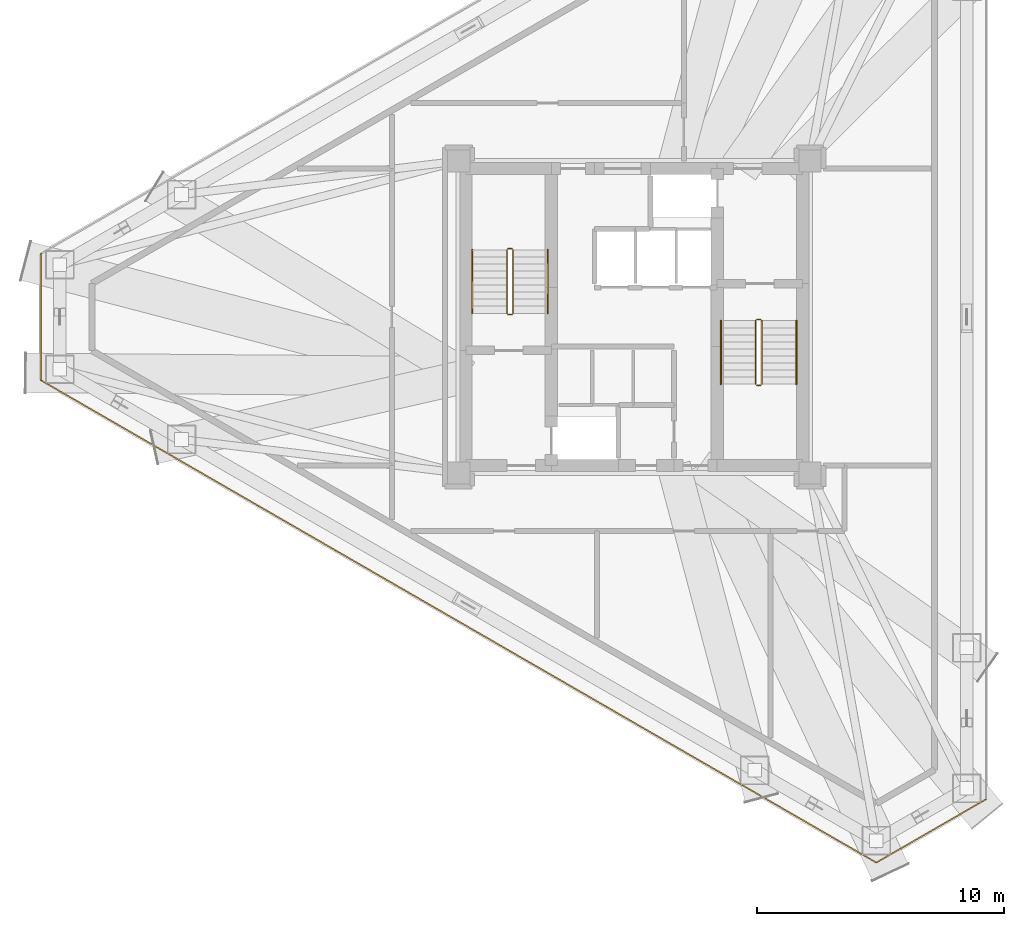
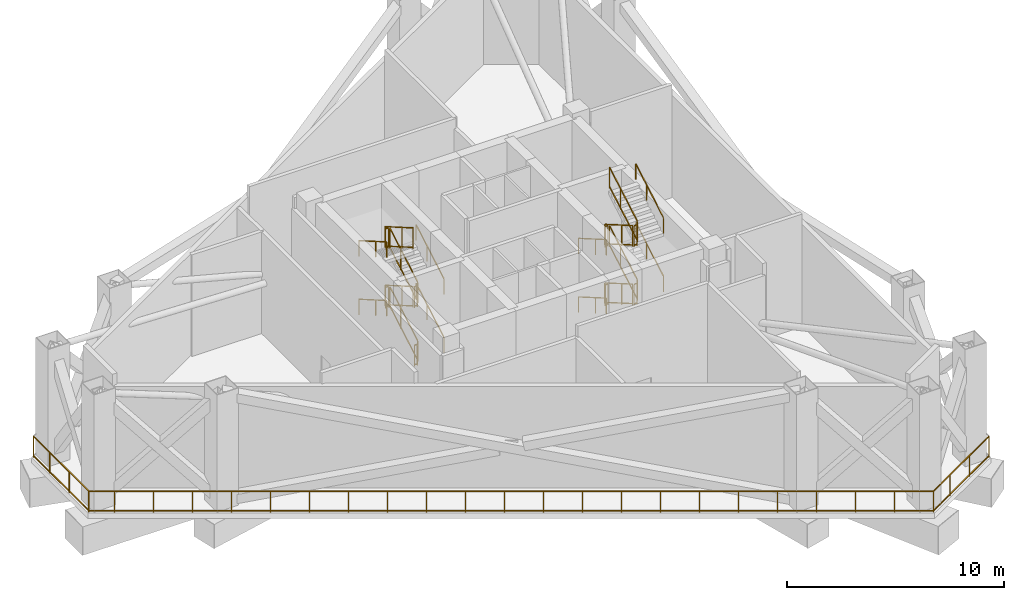
# One storey, part 6 of 7: 27 railings.
"""IFC4 building model written with IfcOpenShell, lengths in metres."""

import ifcopenshell
import ifcopenshell.guid

model = None  # the IFC model being written
_history = None  # IfcOwnerHistory: only IFC2X3 demands one
_inside = {}  # id of a spatial element -> (the spatial element, [elements in it])
_under = {}  # id of a project, library or spatial element -> (it, [spatial elements below it])
_declared = {}  # id of a project -> (the project, [libraries it declares])
_typed = {}  # id of a type object -> (the type object, [elements of that type])
_made_of = {}  # id of a material, layer set ... -> (it, [elements and type objects made of it])


def new_model(schema):
    """Start an empty IFC model of exactly this schema.

    Asked for "IFC4X3", IfcOpenShell would pick the latest addendum, in which some entities
    have other attributes; the version numbers below select the first issue.
    IFC2X3 requires an IfcOwnerHistory on every rooted entity: one is made here for all.
    """
    global model, _history
    if schema == "IFC4X3":
        model = ifcopenshell.file(schema_version=(4, 3, 0, 0))
    else:
        model = ifcopenshell.file(schema=schema)
    _inside.clear()
    _under.clear()
    _declared.clear()
    _typed.clear()
    _made_of.clear()
    _history = None
    if model.schema == "IFC2X3":
        org = make("IfcOrganization", Name="unknown")
        user = make(
            "IfcPersonAndOrganization",
            ThePerson=make("IfcPerson", FamilyName="unknown"),
            TheOrganization=org,
        )
        app = make(
            "IfcApplication",
            ApplicationDeveloper=org,
            Version="unknown",
            ApplicationFullName="unknown",
            ApplicationIdentifier="unknown",
        )
        _history = make(
            "IfcOwnerHistory",
            OwningUser=user,
            OwningApplication=app,
            ChangeAction="ADDED",
            CreationDate=0,
        )
    return model


def make(cls, **values):
    """One entity of the class cls with the attributes given. An attribute that is None is left unset."""
    return model.create_entity(
        cls, **{name: value for name, value in values.items() if value is not None}
    )


def rooted(cls, **values):
    """An entity with a GlobalId (a new one), such as an element, a storey or a relation."""
    return make(cls, GlobalId=ifcopenshell.guid.new(), OwnerHistory=_history, **values)


def si_unit(unit_type, name, prefix=None):
    """IfcSIUnit, for example si_unit("LENGTHUNIT", "METRE", prefix="MILLI")."""
    return make("IfcSIUnit", UnitType=unit_type, Prefix=prefix, Name=name)


def assignment(units):
    """IfcUnitAssignment: the units of a project."""
    return None if units is None else make("IfcUnitAssignment", Units=units)


def point(xyz):
    """IfcCartesianPoint."""
    return None if xyz is None else make("IfcCartesianPoint", Coordinates=xyz)


def direction(xyz):
    """IfcDirection."""
    return None if xyz is None else make("IfcDirection", DirectionRatios=xyz)


def frame(location, z_axis=None, x_axis=None):
    """IfcAxis2Placement3D, a coordinate frame: its origin and axes. An axis left out is left unset."""
    return make(
        "IfcAxis2Placement3D",
        Location=point(location),
        Axis=direction(z_axis),
        RefDirection=direction(x_axis),
    )


def frame_2d(location, x_axis=None):
    """IfcAxis2Placement2D, a coordinate frame in the plane: its origin and x axis."""
    return make(
        "IfcAxis2Placement2D", Location=point(location), RefDirection=direction(x_axis)
    )


def origin():
    """The frame at (0, 0, 0) with its axes left unset."""
    return frame((0.0, 0.0, 0.0))


def origin_2d():
    """The frame at (0, 0) in the plane with its x axis left unset."""
    return frame_2d((0.0, 0.0))


def place(relative_to, where):
    """IfcLocalPlacement: puts the frame where relative to a parent placement (None: the world)."""
    return make(
        "IfcLocalPlacement", PlacementRelTo=relative_to, RelativePlacement=where
    )


def context(
    kind, dimensions, precision=None, world=None, true_north=None, identifier=None
):
    """IfcGeometricRepresentationContext, for example the 3D "Model" context."""
    return make(
        "IfcGeometricRepresentationContext",
        ContextIdentifier=identifier,
        ContextType=kind,
        CoordinateSpaceDimension=dimensions,
        Precision=precision,
        WorldCoordinateSystem=world,
        TrueNorth=true_north,
    )


def subcontext(parent, identifier, kind, view, scale=None):
    """IfcGeometricRepresentationSubContext, for example "Body" below "Model"."""
    return make(
        "IfcGeometricRepresentationSubContext",
        ContextIdentifier=identifier,
        ContextType=kind,
        ParentContext=parent,
        TargetScale=scale,
        TargetView=view,
    )


def project(units=None, contexts=None):
    """IfcProject with its units and contexts."""
    return rooted(
        "IfcProject",
        Name="project",
        RepresentationContexts=contexts,
        UnitsInContext=assignment(units),
    )


def spatial(cls, under=None, at=None, **own):
    """A site, building, storey or space (cls), placed at a placement, below another one or the project."""
    s = rooted(cls, ObjectPlacement=at, **own)
    if under is not None:
        _under.setdefault(under.id(), (under, []))[1].append(s)
    return s


def profile(cls, at=None, kind="AREA", **sizes):
    """A parametric profile (cls). Its sizes go by their IFC names, for example OverallWidth=200.0."""
    return make(cls, ProfileType=kind, Position=at, **sizes)


def rectangle(**sizes):
    """IfcRectangleProfileDef."""
    return profile("IfcRectangleProfileDef", **sizes)


def extrude(swept, where, along, depth):
    """IfcExtrudedAreaSolid: the profile swept, set in the frame where, extruded along a direction by depth."""
    return make(
        "IfcExtrudedAreaSolid",
        SweptArea=swept,
        Position=where,
        ExtrudedDirection=direction(along),
        Depth=depth,
    )


def shape(context_of_items, identifier, shape_type, items):
    """IfcShapeRepresentation: the items that make up one representation, for example the "Body"."""
    return make(
        "IfcShapeRepresentation",
        ContextOfItems=context_of_items,
        RepresentationIdentifier=identifier,
        RepresentationType=shape_type,
        Items=items,
    )


def material(Name=None, Category=None):
    """IfcMaterial."""
    return make("IfcMaterial", Name=Name, Category=Category)


def made_of(thing, what):
    """Note that an element or type object is made of a material, layer set ...; save() writes the relation."""
    if what is not None:
        _made_of.setdefault(what.id(), (what, []))[1].append(thing)
    return thing


def type_object(cls, material=None, **own):
    """A type object (cls), such as IfcWallType, which elements share."""
    return made_of(rooted(cls, **own), material)


def element(
    cls,
    number,
    at=None,
    inside=None,
    cuts=None,
    type_object=None,
    material=None,
    context=None,
    identifier="Body",
    shape_type=None,
    held_by="IfcProductDefinitionShape",
    body=None,
    shapes=None,
    **own,
):
    """One element of the class cls, such as IfcWall. Its Tag is "e" and its number.

    at: its placement. inside: the storey or other place that contains it. cuts: it is an
    opening in that element (IfcRelVoidsElement). A single representation is given by context,
    identifier, shape_type and body (its items); several are given by shapes. held_by: the class
    of the entity that holds the representations. save() writes the other relations.
    """
    e = rooted(cls, Tag="e%d" % number, ObjectPlacement=at, **own)
    if body is not None:
        shapes = [shape(context, identifier, shape_type, body)]
    if shapes is not None:
        e.Representation = make(held_by, Representations=shapes)
    if inside is not None:
        _inside.setdefault(inside.id(), (inside, []))[1].append(e)
    if cuts is not None:
        rooted(
            "IfcRelVoidsElement", RelatingBuildingElement=cuts, RelatedOpeningElement=e
        )
    if type_object is not None:
        _typed.setdefault(type_object.id(), (type_object, []))[1].append(e)
    return made_of(e, material)


def aggregate(whole, parts):
    """IfcRelAggregates: a whole, such as a stair, and the parts it consists of."""
    return rooted("IfcRelAggregates", RelatingObject=whole, RelatedObjects=parts)


def save(model, path):
    """Write the relations noted so far, then the file.

    IfcRelAggregates (storeys below a building ...), IfcRelContainedInSpatialStructure (elements
    in a storey), IfcRelDefinesByType, IfcRelAssociatesMaterial and IfcRelDeclares: one each for
    every whole, place, type object, material and project.
    """
    for whole, parts in _under.values():
        aggregate(whole, parts)
    for where, things in _inside.values():
        rooted(
            "IfcRelContainedInSpatialStructure",
            RelatedElements=things,
            RelatingStructure=where,
        )
    for kind, things in _typed.values():
        rooted("IfcRelDefinesByType", RelatedObjects=things, RelatingType=kind)
    for what, things in _made_of.values():
        rooted("IfcRelAssociatesMaterial", RelatedObjects=things, RelatingMaterial=what)
    for by, libraries in _declared.values():
        rooted("IfcRelDeclares", RelatingContext=by, RelatedDefinitions=libraries)
    model.write(path)


model = new_model("IFC4")

# Units and contexts
model_context = context("Model", 3, precision=1e-05, world=origin(), true_north=direction((0.0, 1.0)))
body_context = subcontext(model_context, "Body", "Model", "MODEL_VIEW")
ifc_project = project(units=[si_unit("LENGTHUNIT", "METRE"), si_unit("AREAUNIT", "SQUARE_METRE"), si_unit("VOLUMEUNIT", "CUBIC_METRE"), si_unit("PLANEANGLEUNIT", "RADIAN"), si_unit("MASSUNIT", "GRAM", prefix="KILO")], contexts=[model_context])

# Site, building, storey
site_placement = place(None, origin())
site = spatial("IfcSite", under=ifc_project, at=site_placement, CompositionType="ELEMENT")
building_placement = place(site_placement, origin())
building = spatial("IfcBuilding", under=site, at=building_placement, Name="Mersakhor Tower and Convention Hall", CompositionType="ELEMENT")
storey_placement = place(building_placement, frame((0.0, 0.0, 66.89990234375)))
storey = spatial("IfcBuildingStorey", under=building, at=storey_placement, Name="L18", CompositionType="ELEMENT", Elevation=66.89990234375)

# Railings
ifc_material_1 = material(Name="Powder-coated galvanised steel and laminated glass balustrade", Category="steel")
railing_type_1 = type_object("IfcRailingType", Name="RL-BAL-1200", PredefinedType="BALUSTRADE", material=ifc_material_1)
railing_1_placement = place(storey_placement, frame((43.20458984375, 7.257568359375, 0.0)))
element("IfcRailing", 1, at=railing_1_placement, inside=storey, type_object=railing_type_1, Name="L18 Open Wind Deck Perimeter Balustrade 4", PredefinedType="BALUSTRADE", context=body_context, shape_type="SweptSolid", body=[
    extrude(rectangle(XDim=0.048095703125, YDim=0.048095703125, at=origin_2d()), frame((0.0, 0.0, 1.17578125), z_axis=(-0.866008972139, -0.500028459365, 0.0), x_axis=(0.500028459365, -0.866008972139, 0.0)), (0.0, 0.0, 1.0), 5.110595703125),
    extrude(rectangle(XDim=0.048095703125, YDim=0.048095703125, at=origin_2d()), frame((0.0, 0.0, 0.080078125), z_axis=(-0.866008972139, -0.500028459365, 0.0), x_axis=(0.500028459365, -0.866008972139, 0.0)), (0.0, 0.0, 1.0), 5.110595703125),
    extrude(rectangle(XDim=0.0419921875, YDim=0.0419921875, at=origin_2d()), origin(), (0.0, 0.0, 1.0), 1.15185546875),
    extrude(rectangle(XDim=0.0419921875, YDim=0.0419921875, at=origin_2d()), frame((-1.558837890625, -0.900146484375, 0.0)), (0.0, 0.0, 1.0), 1.15185546875),
    extrude(rectangle(XDim=0.0419921875, YDim=0.0419921875, at=origin_2d()), frame((-3.11767578125, -1.800048828125, 0.0)), (0.0, 0.0, 1.0), 1.15185546875),
    extrude(rectangle(XDim=0.0419921875, YDim=0.0419921875, at=origin_2d()), frame((-4.42578125, -2.555419921875, 0.0)), (0.0, 0.0, 1.0), 1.15185546875),
])
railing_2_placement = place(storey_placement, frame((38.77880859375, 4.7021484375, 0.0)))
element("IfcRailing", 2, at=railing_2_placement, inside=storey, type_object=railing_type_1, Name="L18 Open Wind Deck Perimeter Balustrade 5", PredefinedType="BALUSTRADE", context=body_context, shape_type="SweptSolid", body=[
    extrude(rectangle(XDim=0.048095703125, YDim=0.048095703125, at=origin_2d()), frame((0.0, 0.0, 1.17578125), z_axis=(-0.866027488331, 0.499996389441, 0.0), x_axis=(-0.499996389441, -0.866027488331, 0.0)), (0.0, 0.0, 1.0), 38.985107421875),
    extrude(rectangle(XDim=0.048095703125, YDim=0.048095703125, at=origin_2d()), frame((0.0, 0.0, 0.080078125), z_axis=(-0.866027488331, 0.499996389441, 0.0), x_axis=(-0.499996389441, -0.866027488331, 0.0)), (0.0, 0.0, 1.0), 38.985107421875),
    extrude(rectangle(XDim=0.0419921875, YDim=0.0419921875, at=origin_2d()), origin(), (0.0, 0.0, 1.0), 1.15185546875),
    extrude(rectangle(XDim=0.0419921875, YDim=0.0419921875, at=origin_2d()), frame((-1.558837890625, 0.89990234375, 0.0)), (0.0, 0.0, 1.0), 1.15185546875),
    extrude(rectangle(XDim=0.0419921875, YDim=0.0419921875, at=origin_2d()), frame((-3.11767578125, 1.800048828125, 0.0)), (0.0, 0.0, 1.0), 1.15185546875),
    extrude(rectangle(XDim=0.0419921875, YDim=0.0419921875, at=origin_2d()), frame((-4.676513671875, 2.699951171875, 0.0)), (0.0, 0.0, 1.0), 1.15185546875),
    extrude(rectangle(XDim=0.0419921875, YDim=0.0419921875, at=origin_2d()), frame((-6.2353515625, 3.599853515625, 0.0)), (0.0, 0.0, 1.0), 1.15185546875),
    extrude(rectangle(XDim=0.0419921875, YDim=0.0419921875, at=origin_2d()), frame((-7.794189453125, 4.5, 0.0)), (0.0, 0.0, 1.0), 1.15185546875),
    extrude(rectangle(XDim=0.0419921875, YDim=0.0419921875, at=origin_2d()), frame((-9.35302734375, 5.39990234375, 0.0)), (0.0, 0.0, 1.0), 1.15185546875),
    extrude(rectangle(XDim=0.0419921875, YDim=0.0419921875, at=origin_2d()), frame((-10.911865234375, 6.300048828125, 0.0)), (0.0, 0.0, 1.0), 1.15185546875),
    extrude(rectangle(XDim=0.0419921875, YDim=0.0419921875, at=origin_2d()), frame((-12.470703125, 7.199951171875, 0.0)), (0.0, 0.0, 1.0), 1.15185546875),
    extrude(rectangle(XDim=0.0419921875, YDim=0.0419921875, at=origin_2d()), frame((-14.029541015625, 8.099853515625, 0.0)), (0.0, 0.0, 1.0), 1.15185546875),
    extrude(rectangle(XDim=0.0419921875, YDim=0.0419921875, at=origin_2d()), frame((-15.58837890625, 9.0, 0.0)), (0.0, 0.0, 1.0), 1.15185546875),
    extrude(rectangle(XDim=0.0419921875, YDim=0.0419921875, at=origin_2d()), frame((-17.1474609375, 9.89990234375, 0.0)), (0.0, 0.0, 1.0), 1.15185546875),
    extrude(rectangle(XDim=0.0419921875, YDim=0.0419921875, at=origin_2d()), frame((-18.706298828125, 10.7998046875, 0.0)), (0.0, 0.0, 1.0), 1.15185546875),
    extrude(rectangle(XDim=0.0419921875, YDim=0.0419921875, at=origin_2d()), frame((-20.26513671875, 11.699951171875, 0.0)), (0.0, 0.0, 1.0), 1.15185546875),
    extrude(rectangle(XDim=0.0419921875, YDim=0.0419921875, at=origin_2d()), frame((-21.823974609375, 12.599853515625, 0.0)), (0.0, 0.0, 1.0), 1.15185546875),
    extrude(rectangle(XDim=0.0419921875, YDim=0.0419921875, at=origin_2d()), frame((-23.3828125, 13.5, 0.0)), (0.0, 0.0, 1.0), 1.15185546875),
    extrude(rectangle(XDim=0.0419921875, YDim=0.0419921875, at=origin_2d()), frame((-24.941650390625, 14.39990234375, 0.0)), (0.0, 0.0, 1.0), 1.15185546875),
    extrude(rectangle(XDim=0.0419921875, YDim=0.0419921875, at=origin_2d()), frame((-26.50048828125, 15.2998046875, 0.0)), (0.0, 0.0, 1.0), 1.15185546875),
    extrude(rectangle(XDim=0.0419921875, YDim=0.0419921875, at=origin_2d()), frame((-28.059326171875, 16.199951171875, 0.0)), (0.0, 0.0, 1.0), 1.15185546875),
    extrude(rectangle(XDim=0.0419921875, YDim=0.0419921875, at=origin_2d()), frame((-29.6181640625, 17.099853515625, 0.0)), (0.0, 0.0, 1.0), 1.15185546875),
    extrude(rectangle(XDim=0.0419921875, YDim=0.0419921875, at=origin_2d()), frame((-31.177001953125, 17.999755859375, 0.0)), (0.0, 0.0, 1.0), 1.15185546875),
    extrude(rectangle(XDim=0.0419921875, YDim=0.0419921875, at=origin_2d()), frame((-32.73583984375, 18.89990234375, 0.0)), (0.0, 0.0, 1.0), 1.15185546875),
    extrude(rectangle(XDim=0.0419921875, YDim=0.0419921875, at=origin_2d()), frame((-33.76220703125, 19.492431640625, 0.0)), (0.0, 0.0, 1.0), 1.15185546875),
])
railing_3_placement = place(storey_placement, frame((5.0166015625, 24.194580078125, 0.0)))
element("IfcRailing", 3, at=railing_3_placement, inside=storey, type_object=railing_type_1, Name="L18 Open Wind Deck Perimeter Balustrade 6", PredefinedType="BALUSTRADE", context=body_context, shape_type="SweptSolid", body=[
    extrude(rectangle(XDim=0.048095703125, YDim=0.048095703125, at=origin_2d()), frame((0.0, 0.0, 1.17578125), z_axis=(0.0, 1.0, 0.0), x_axis=(-1.0, 0.0, 0.0)), (0.0, 0.0, 1.0), 5.11083984375),
    extrude(rectangle(XDim=0.048095703125, YDim=0.048095703125, at=origin_2d()), frame((0.0, 0.0, 0.080078125), z_axis=(0.0, 1.0, 0.0), x_axis=(-1.0, 0.0, 0.0)), (0.0, 0.0, 1.0), 5.11083984375),
    extrude(rectangle(XDim=0.0419921875, YDim=0.0419921875, at=origin_2d()), origin(), (0.0, 0.0, 1.0), 1.15185546875),
    extrude(rectangle(XDim=0.0419921875, YDim=0.0419921875, at=origin_2d()), frame((0.0, 1.800048828125, 0.0)), (0.0, 0.0, 1.0), 1.15185546875),
    extrude(rectangle(XDim=0.0419921875, YDim=0.0419921875, at=origin_2d()), frame((0.0, 3.60009765625, 0.0)), (0.0, 0.0, 1.0), 1.15185546875),
    extrude(rectangle(XDim=0.0419921875, YDim=0.0419921875, at=origin_2d()), frame((0.0, 5.11083984375, 0.0)), (0.0, 0.0, 1.0), 1.15185546875),
])
ifc_material_2 = material(Name="Brushed stainless steel handrail", Category="steel")
railing_type_2 = type_object("IfcRailingType", Name="RL-HR-900", PredefinedType="HANDRAIL", material=ifc_material_2)
railing_4_placement = place(storey_placement, frame((25.5, 26.89990234375, 0.1650390625)))
element("IfcRailing", 4, at=railing_4_placement, inside=storey, type_object=railing_type_2, Name="L18 ST-1 stair handrail 1", PredefinedType="HANDRAIL", context=body_context, shape_type="SweptSolid", body=[
    extrude(rectangle(XDim=0.048095703125, YDim=0.048095703125, at=origin_2d()), frame((0.0, 0.0, 0.8759765625), z_axis=(0.0, 0.865426285481, 0.501036270542), x_axis=(-1.0, 0.0, 0.0)), (0.0, 0.0, 1.0), 2.964111328125),
    extrude(rectangle(XDim=0.0419921875, YDim=0.0419921875, at=origin_2d()), origin(), (0.0, 0.0, 1.0), 0.851806640625),
    extrude(rectangle(XDim=0.0419921875, YDim=0.0419921875, at=origin_2d()), frame((0.0, 1.557861328125, 0.90185546875)), (0.0, 0.0, 1.0), 0.851806640625),
    extrude(rectangle(XDim=0.0419921875, YDim=0.0419921875, at=origin_2d()), frame((0.0, 2.565185546875, 1.485107421875)), (0.0, 0.0, 1.0), 0.851806640625),
])
railing_5_placement = place(storey_placement, frame((22.449951171875, 29.465087890625, 1.815185546875)))
element("IfcRailing", 5, at=railing_5_placement, inside=storey, type_object=railing_type_2, Name="L18 ST-1 stair handrail 2", PredefinedType="HANDRAIL", context=body_context, shape_type="SweptSolid", body=[
    extrude(rectangle(XDim=0.048095703125, YDim=0.048095703125, at=origin_2d()), frame((0.0, 0.0, 0.8759765625), z_axis=(0.0, -0.865461999751, 0.500974577186), x_axis=(1.0, 0.0, 0.0)), (0.0, 0.0, 1.0), 2.9638671875),
    extrude(rectangle(XDim=0.0419921875, YDim=0.0419921875, at=origin_2d()), origin(), (0.0, 0.0, 1.0), 0.851806640625),
    extrude(rectangle(XDim=0.0419921875, YDim=0.0419921875, at=origin_2d()), frame((0.0, -1.557861328125, 0.90185546875)), (0.0, 0.0, 1.0), 0.851806640625),
    extrude(rectangle(XDim=0.0419921875, YDim=0.0419921875, at=origin_2d()), frame((0.0, -2.565185546875, 1.48486328125)), (0.0, 0.0, 1.0), 0.851806640625),
])
railing_6_placement = place(storey_placement, frame((25.5, 26.89990234375, 3.465087890625)))
element("IfcRailing", 6, at=railing_6_placement, inside=storey, type_object=railing_type_2, Name="L18 ST-1 stair handrail 3", PredefinedType="HANDRAIL", context=body_context, shape_type="SweptSolid", body=[
    extrude(rectangle(XDim=0.048095703125, YDim=0.048095703125, at=origin_2d()), frame((0.0, 0.0, 0.8759765625), z_axis=(0.0, 0.865426285481, 0.501036270542), x_axis=(-1.0, 0.0, 0.0)), (0.0, 0.0, 1.0), 2.964111328125),
    extrude(rectangle(XDim=0.0419921875, YDim=0.0419921875, at=origin_2d()), origin(), (0.0, 0.0, 1.0), 0.851806640625),
    extrude(rectangle(XDim=0.0419921875, YDim=0.0419921875, at=origin_2d()), frame((0.0, 1.557861328125, 0.90185546875)), (0.0, 0.0, 1.0), 0.851806640625),
    extrude(rectangle(XDim=0.0419921875, YDim=0.0419921875, at=origin_2d()), frame((0.0, 2.565185546875, 1.485107421875)), (0.0, 0.0, 1.0), 0.851806640625),
])
for number, where, name in (
    (7, (22.449951171875, 29.465087890625, 5.114990234375), "L18 ST-1 stair handrail 4"),
    (8, (32.5, 26.60009765625, 0.1650390625), "L18 ST-2 stair handrail 1"),
):
    element("IfcRailing", number, at=place(storey_placement, frame(where)), inside=storey, type_object=railing_type_2, Name=name, PredefinedType="HANDRAIL", context=body_context, shape_type="SweptSolid", body=[
        extrude(rectangle(XDim=0.048095703125, YDim=0.048095703125, at=origin_2d()), frame((0.0, 0.0, 0.8759765625), z_axis=(0.0, -0.865426285481, 0.501036270542), x_axis=(1.0, 0.0, 0.0)), (0.0, 0.0, 1.0), 2.964111328125),
        extrude(rectangle(XDim=0.0419921875, YDim=0.0419921875, at=origin_2d()), origin(), (0.0, 0.0, 1.0), 0.851806640625),
        extrude(rectangle(XDim=0.0419921875, YDim=0.0419921875, at=origin_2d()), frame((0.0, -1.557861328125, 0.90185546875)), (0.0, 0.0, 1.0), 0.851806640625),
        extrude(rectangle(XDim=0.0419921875, YDim=0.0419921875, at=origin_2d()), frame((0.0, -2.565185546875, 1.485107421875)), (0.0, 0.0, 1.0), 0.851806640625),
    ])
railing_7_placement = place(storey_placement, frame((35.550048828125, 24.034912109375, 1.815185546875)))
element("IfcRailing", 9, at=railing_7_placement, inside=storey, type_object=railing_type_2, Name="L18 ST-2 stair handrail 2", PredefinedType="HANDRAIL", context=body_context, shape_type="SweptSolid", body=[
    extrude(rectangle(XDim=0.048095703125, YDim=0.048095703125, at=origin_2d()), frame((0.0, 0.0, 0.8759765625), z_axis=(0.0, 0.865461999751, 0.500974577186), x_axis=(-1.0, 0.0, 0.0)), (0.0, 0.0, 1.0), 2.9638671875),
    extrude(rectangle(XDim=0.0419921875, YDim=0.0419921875, at=origin_2d()), origin(), (0.0, 0.0, 1.0), 0.851806640625),
    extrude(rectangle(XDim=0.0419921875, YDim=0.0419921875, at=origin_2d()), frame((0.0, 1.557861328125, 0.90185546875)), (0.0, 0.0, 1.0), 0.851806640625),
    extrude(rectangle(XDim=0.0419921875, YDim=0.0419921875, at=origin_2d()), frame((0.0, 2.565185546875, 1.48486328125)), (0.0, 0.0, 1.0), 0.851806640625),
])
railing_8_placement = place(storey_placement, frame((32.5, 26.60009765625, 3.465087890625)))
element("IfcRailing", 10, at=railing_8_placement, inside=storey, type_object=railing_type_2, Name="L18 ST-2 stair handrail 3", PredefinedType="HANDRAIL", context=body_context, shape_type="SweptSolid", body=[
    extrude(rectangle(XDim=0.048095703125, YDim=0.048095703125, at=origin_2d()), frame((0.0, 0.0, 0.8759765625), z_axis=(0.0, -0.865426285481, 0.501036270542), x_axis=(1.0, 0.0, 0.0)), (0.0, 0.0, 1.0), 2.964111328125),
    extrude(rectangle(XDim=0.0419921875, YDim=0.0419921875, at=origin_2d()), origin(), (0.0, 0.0, 1.0), 0.851806640625),
    extrude(rectangle(XDim=0.0419921875, YDim=0.0419921875, at=origin_2d()), frame((0.0, -1.557861328125, 0.90185546875)), (0.0, 0.0, 1.0), 0.851806640625),
    extrude(rectangle(XDim=0.0419921875, YDim=0.0419921875, at=origin_2d()), frame((0.0, -2.565185546875, 1.485107421875)), (0.0, 0.0, 1.0), 0.851806640625),
])
railing_9_placement = place(storey_placement, frame((35.550048828125, 24.034912109375, 5.114990234375)))
element("IfcRailing", 11, at=railing_9_placement, inside=storey, type_object=railing_type_2, Name="L18 ST-2 stair handrail 4", PredefinedType="HANDRAIL", context=body_context, shape_type="SweptSolid", body=[
    extrude(rectangle(XDim=0.048095703125, YDim=0.048095703125, at=origin_2d()), frame((0.0, 0.0, 0.8759765625), z_axis=(0.0, 0.865426285481, 0.501036270542), x_axis=(-1.0, 0.0, 0.0)), (0.0, 0.0, 1.0), 2.964111328125),
    extrude(rectangle(XDim=0.0419921875, YDim=0.0419921875, at=origin_2d()), origin(), (0.0, 0.0, 1.0), 0.851806640625),
    extrude(rectangle(XDim=0.0419921875, YDim=0.0419921875, at=origin_2d()), frame((0.0, 1.557861328125, 0.90185546875)), (0.0, 0.0, 1.0), 0.851806640625),
    extrude(rectangle(XDim=0.0419921875, YDim=0.0419921875, at=origin_2d()), frame((0.0, 2.565185546875, 1.485107421875)), (0.0, 0.0, 1.0), 0.851806640625),
])
ifc_material_3 = material(Name="Painted steel stair balustrade S355", Category="steel")
railing_type_3 = type_object("IfcRailingType", Name="RL-STG-1200", PredefinedType="BALUSTRADE", material=ifc_material_3)
railing_10_placement = place(storey_placement, frame((24.10009765625, 26.89990234375, 0.1650390625)))
element("IfcRailing", 12, at=railing_10_placement, inside=storey, type_object=railing_type_3, Name="L18 ST-1 stair guard 1", PredefinedType="BALUSTRADE", context=body_context, shape_type="SweptSolid", body=[
    extrude(rectangle(XDim=0.048095703125, YDim=0.048095703125, at=origin_2d()), frame((0.0, 0.0, 1.17578125), z_axis=(0.0, 0.865426285481, 0.501036270542), x_axis=(-1.0, 0.0, 0.0)), (0.0, 0.0, 1.0), 2.964111328125),
    extrude(rectangle(XDim=0.048095703125, YDim=0.048095703125, at=origin_2d()), frame((0.0, 0.0, 0.080078125), z_axis=(0.0, 0.865426285481, 0.501036270542), x_axis=(-1.0, 0.0, 0.0)), (0.0, 0.0, 1.0), 2.964111328125),
    extrude(rectangle(XDim=0.0419921875, YDim=0.0419921875, at=origin_2d()), origin(), (0.0, 0.0, 1.0), 1.15185546875),
    extrude(rectangle(XDim=0.0419921875, YDim=0.0419921875, at=origin_2d()), frame((0.0, 1.557861328125, 0.90185546875)), (0.0, 0.0, 1.0), 1.15185546875),
    extrude(rectangle(XDim=0.0419921875, YDim=0.0419921875, at=origin_2d()), frame((0.0, 2.565185546875, 1.485107421875)), (0.0, 0.0, 1.0), 1.15185546875),
])
railing_11_placement = place(storey_placement, frame((24.050048828125, 29.514892578125, 1.650146484375)))
element("IfcRailing", 13, at=railing_11_placement, inside=storey, type_object=railing_type_3, Name="L18 ST-1 stair guard 2", PredefinedType="BALUSTRADE", context=body_context, shape_type="SweptSolid", body=[
    extrude(rectangle(XDim=0.048095703125, YDim=0.048095703125, at=origin_2d()), frame((0.0, 0.0, 1.17578125), z_axis=(-1.0, 0.0, 0.0), x_axis=(0.0, -1.0, 0.0)), (0.0, 0.0, 1.0), 0.150146484375),
    extrude(rectangle(XDim=0.048095703125, YDim=0.048095703125, at=origin_2d()), frame((0.0, 0.0, 0.080078125), z_axis=(-1.0, 0.0, 0.0), x_axis=(0.0, -1.0, 0.0)), (0.0, 0.0, 1.0), 0.150146484375),
    extrude(rectangle(XDim=0.0419921875, YDim=0.0419921875, at=origin_2d()), origin(), (0.0, 0.0, 1.0), 1.15185546875),
    extrude(rectangle(XDim=0.0419921875, YDim=0.0419921875, at=origin_2d()), frame((-0.150146484375, 0.0, 0.0)), (0.0, 0.0, 1.0), 1.15185546875),
])
railing_12_placement = place(storey_placement, frame((23.85009765625, 29.465087890625, 1.815185546875)))
element("IfcRailing", 14, at=railing_12_placement, inside=storey, type_object=railing_type_3, Name="L18 ST-1 stair guard 3", PredefinedType="BALUSTRADE", context=body_context, shape_type="SweptSolid", body=[
    extrude(rectangle(XDim=0.048095703125, YDim=0.048095703125, at=origin_2d()), frame((0.0, 0.0, 1.17578125), z_axis=(0.0, -0.865461999751, 0.500974577186), x_axis=(1.0, 0.0, 0.0)), (0.0, 0.0, 1.0), 2.9638671875),
    extrude(rectangle(XDim=0.048095703125, YDim=0.048095703125, at=origin_2d()), frame((0.0, 0.0, 0.080078125), z_axis=(0.0, -0.865461999751, 0.500974577186), x_axis=(1.0, 0.0, 0.0)), (0.0, 0.0, 1.0), 2.9638671875),
    extrude(rectangle(XDim=0.0419921875, YDim=0.0419921875, at=origin_2d()), origin(), (0.0, 0.0, 1.0), 1.15185546875),
    extrude(rectangle(XDim=0.0419921875, YDim=0.0419921875, at=origin_2d()), frame((0.0, -1.557861328125, 0.90185546875)), (0.0, 0.0, 1.0), 1.15185546875),
    extrude(rectangle(XDim=0.0419921875, YDim=0.0419921875, at=origin_2d()), frame((0.0, -2.565185546875, 1.48486328125)), (0.0, 0.0, 1.0), 1.15185546875),
])
railing_13_placement = place(storey_placement, frame((24.050048828125, 26.85009765625, 3.300048828125)))
element("IfcRailing", 15, at=railing_13_placement, inside=storey, type_object=railing_type_3, Name="L18 ST-1 stair guard 4", PredefinedType="BALUSTRADE", context=body_context, shape_type="SweptSolid", body=[
    extrude(rectangle(XDim=0.048095703125, YDim=0.048095703125, at=origin_2d()), frame((0.0, 0.0, 1.17578125), z_axis=(-1.0, 0.0, 0.0), x_axis=(0.0, -1.0, 0.0)), (0.0, 0.0, 1.0), 0.150146484375),
    extrude(rectangle(XDim=0.048095703125, YDim=0.048095703125, at=origin_2d()), frame((0.0, 0.0, 0.080078125), z_axis=(-1.0, 0.0, 0.0), x_axis=(0.0, -1.0, 0.0)), (0.0, 0.0, 1.0), 0.150146484375),
    extrude(rectangle(XDim=0.0419921875, YDim=0.0419921875, at=origin_2d()), origin(), (0.0, 0.0, 1.0), 1.15185546875),
    extrude(rectangle(XDim=0.0419921875, YDim=0.0419921875, at=origin_2d()), frame((-0.150146484375, 0.0, 0.0)), (0.0, 0.0, 1.0), 1.15185546875),
])
railing_14_placement = place(storey_placement, frame((24.10009765625, 26.89990234375, 3.465087890625)))
element("IfcRailing", 16, at=railing_14_placement, inside=storey, type_object=railing_type_3, Name="L18 ST-1 stair guard 5", PredefinedType="BALUSTRADE", context=body_context, shape_type="SweptSolid", body=[
    extrude(rectangle(XDim=0.048095703125, YDim=0.048095703125, at=origin_2d()), frame((0.0, 0.0, 1.17578125), z_axis=(0.0, 0.865426285481, 0.501036270542), x_axis=(-1.0, 0.0, 0.0)), (0.0, 0.0, 1.0), 2.964111328125),
    extrude(rectangle(XDim=0.048095703125, YDim=0.048095703125, at=origin_2d()), frame((0.0, 0.0, 0.080078125), z_axis=(0.0, 0.865426285481, 0.501036270542), x_axis=(-1.0, 0.0, 0.0)), (0.0, 0.0, 1.0), 2.964111328125),
    extrude(rectangle(XDim=0.0419921875, YDim=0.0419921875, at=origin_2d()), origin(), (0.0, 0.0, 1.0), 1.15185546875),
    extrude(rectangle(XDim=0.0419921875, YDim=0.0419921875, at=origin_2d()), frame((0.0, 1.557861328125, 0.90185546875)), (0.0, 0.0, 1.0), 1.15185546875),
    extrude(rectangle(XDim=0.0419921875, YDim=0.0419921875, at=origin_2d()), frame((0.0, 2.565185546875, 1.485107421875)), (0.0, 0.0, 1.0), 1.15185546875),
])
railing_15_placement = place(storey_placement, frame((24.050048828125, 29.514892578125, 4.9501953125)))
element("IfcRailing", 17, at=railing_15_placement, inside=storey, type_object=railing_type_3, Name="L18 ST-1 stair guard 6", PredefinedType="BALUSTRADE", context=body_context, shape_type="SweptSolid", body=[
    extrude(rectangle(XDim=0.048095703125, YDim=0.048095703125, at=origin_2d()), frame((0.0, 0.0, 1.17578125), z_axis=(-1.0, 0.0, 0.0), x_axis=(0.0, -1.0, 0.0)), (0.0, 0.0, 1.0), 0.150146484375),
    extrude(rectangle(XDim=0.048095703125, YDim=0.048095703125, at=origin_2d()), frame((0.0, 0.0, 0.080078125), z_axis=(-1.0, 0.0, 0.0), x_axis=(0.0, -1.0, 0.0)), (0.0, 0.0, 1.0), 0.150146484375),
    extrude(rectangle(XDim=0.0419921875, YDim=0.0419921875, at=origin_2d()), origin(), (0.0, 0.0, 1.0), 1.15185546875),
    extrude(rectangle(XDim=0.0419921875, YDim=0.0419921875, at=origin_2d()), frame((-0.150146484375, 0.0, 0.0)), (0.0, 0.0, 1.0), 1.15185546875),
])
railing_16_placement = place(storey_placement, frame((23.85009765625, 29.465087890625, 5.114990234375)))
element("IfcRailing", 18, at=railing_16_placement, inside=storey, type_object=railing_type_3, Name="L18 ST-1 stair guard 7", PredefinedType="BALUSTRADE", context=body_context, shape_type="SweptSolid", body=[
    extrude(rectangle(XDim=0.048095703125, YDim=0.048095703125, at=origin_2d()), frame((0.0, 0.0, 1.17578125), z_axis=(0.0, -0.865426285481, 0.501036270542), x_axis=(1.0, 0.0, 0.0)), (0.0, 0.0, 1.0), 2.964111328125),
    extrude(rectangle(XDim=0.048095703125, YDim=0.048095703125, at=origin_2d()), frame((0.0, 0.0, 0.080078125), z_axis=(0.0, -0.865426285481, 0.501036270542), x_axis=(1.0, 0.0, 0.0)), (0.0, 0.0, 1.0), 2.964111328125),
    extrude(rectangle(XDim=0.0419921875, YDim=0.0419921875, at=origin_2d()), origin(), (0.0, 0.0, 1.0), 1.15185546875),
    extrude(rectangle(XDim=0.0419921875, YDim=0.0419921875, at=origin_2d()), frame((0.0, -1.557861328125, 0.90185546875)), (0.0, 0.0, 1.0), 1.15185546875),
    extrude(rectangle(XDim=0.0419921875, YDim=0.0419921875, at=origin_2d()), frame((0.0, -2.565185546875, 1.485107421875)), (0.0, 0.0, 1.0), 1.15185546875),
])
railing_17_placement = place(storey_placement, frame((24.050048828125, 26.85009765625, 0.0)))
element("IfcRailing", 19, at=railing_17_placement, inside=storey, type_object=railing_type_3, Name="L18 ST-1 stair guard 8", PredefinedType="BALUSTRADE", context=body_context, shape_type="SweptSolid", body=[
    extrude(rectangle(XDim=0.048095703125, YDim=0.048095703125, at=origin_2d()), frame((0.0, 0.0, 1.17578125), z_axis=(-1.0, 0.0, 0.0), x_axis=(0.0, -1.0, 0.0)), (0.0, 0.0, 1.0), 0.150146484375),
    extrude(rectangle(XDim=0.048095703125, YDim=0.048095703125, at=origin_2d()), frame((0.0, 0.0, 0.080078125), z_axis=(-1.0, 0.0, 0.0), x_axis=(0.0, -1.0, 0.0)), (0.0, 0.0, 1.0), 0.150146484375),
    extrude(rectangle(XDim=0.0419921875, YDim=0.0419921875, at=origin_2d()), origin(), (0.0, 0.0, 1.0), 1.15185546875),
    extrude(rectangle(XDim=0.0419921875, YDim=0.0419921875, at=origin_2d()), frame((-0.150146484375, 0.0, 0.0)), (0.0, 0.0, 1.0), 1.15185546875),
])
railing_18_placement = place(storey_placement, frame((33.89990234375, 26.60009765625, 0.1650390625)))
element("IfcRailing", 20, at=railing_18_placement, inside=storey, type_object=railing_type_3, Name="L18 ST-2 stair guard 1", PredefinedType="BALUSTRADE", context=body_context, shape_type="SweptSolid", body=[
    extrude(rectangle(XDim=0.048095703125, YDim=0.048095703125, at=origin_2d()), frame((0.0, 0.0, 1.17578125), z_axis=(0.0, -0.865426285481, 0.501036270542), x_axis=(1.0, 0.0, 0.0)), (0.0, 0.0, 1.0), 2.964111328125),
    extrude(rectangle(XDim=0.048095703125, YDim=0.048095703125, at=origin_2d()), frame((0.0, 0.0, 0.080078125), z_axis=(0.0, -0.865426285481, 0.501036270542), x_axis=(1.0, 0.0, 0.0)), (0.0, 0.0, 1.0), 2.964111328125),
    extrude(rectangle(XDim=0.0419921875, YDim=0.0419921875, at=origin_2d()), origin(), (0.0, 0.0, 1.0), 1.15185546875),
    extrude(rectangle(XDim=0.0419921875, YDim=0.0419921875, at=origin_2d()), frame((0.0, -1.557861328125, 0.90185546875)), (0.0, 0.0, 1.0), 1.15185546875),
    extrude(rectangle(XDim=0.0419921875, YDim=0.0419921875, at=origin_2d()), frame((0.0, -2.565185546875, 1.485107421875)), (0.0, 0.0, 1.0), 1.15185546875),
])
railing_19_placement = place(storey_placement, frame((33.949951171875, 23.985107421875, 1.650146484375)))
element("IfcRailing", 21, at=railing_19_placement, inside=storey, type_object=railing_type_3, Name="L18 ST-2 stair guard 2", PredefinedType="BALUSTRADE", context=body_context, shape_type="SweptSolid", body=[
    extrude(rectangle(XDim=0.048095703125, YDim=0.048095703125, at=origin_2d()), frame((0.0, 0.0, 1.17578125), z_axis=(1.0, 0.0, 0.0), x_axis=(0.0, 1.0, 0.0)), (0.0, 0.0, 1.0), 0.150146484375),
    extrude(rectangle(XDim=0.048095703125, YDim=0.048095703125, at=origin_2d()), frame((0.0, 0.0, 0.080078125), z_axis=(1.0, 0.0, 0.0), x_axis=(0.0, 1.0, 0.0)), (0.0, 0.0, 1.0), 0.150146484375),
    extrude(rectangle(XDim=0.0419921875, YDim=0.0419921875, at=origin_2d()), origin(), (0.0, 0.0, 1.0), 1.15185546875),
    extrude(rectangle(XDim=0.0419921875, YDim=0.0419921875, at=origin_2d()), frame((0.150146484375, 0.0, 0.0)), (0.0, 0.0, 1.0), 1.15185546875),
])
railing_20_placement = place(storey_placement, frame((34.14990234375, 24.034912109375, 1.815185546875)))
element("IfcRailing", 22, at=railing_20_placement, inside=storey, type_object=railing_type_3, Name="L18 ST-2 stair guard 3", PredefinedType="BALUSTRADE", context=body_context, shape_type="SweptSolid", body=[
    extrude(rectangle(XDim=0.048095703125, YDim=0.048095703125, at=origin_2d()), frame((0.0, 0.0, 1.17578125), z_axis=(0.0, 0.865461999751, 0.500974577186), x_axis=(-1.0, 0.0, 0.0)), (0.0, 0.0, 1.0), 2.9638671875),
    extrude(rectangle(XDim=0.048095703125, YDim=0.048095703125, at=origin_2d()), frame((0.0, 0.0, 0.080078125), z_axis=(0.0, 0.865461999751, 0.500974577186), x_axis=(-1.0, 0.0, 0.0)), (0.0, 0.0, 1.0), 2.9638671875),
    extrude(rectangle(XDim=0.0419921875, YDim=0.0419921875, at=origin_2d()), origin(), (0.0, 0.0, 1.0), 1.15185546875),
    extrude(rectangle(XDim=0.0419921875, YDim=0.0419921875, at=origin_2d()), frame((0.0, 1.557861328125, 0.90185546875)), (0.0, 0.0, 1.0), 1.15185546875),
    extrude(rectangle(XDim=0.0419921875, YDim=0.0419921875, at=origin_2d()), frame((0.0, 2.565185546875, 1.48486328125)), (0.0, 0.0, 1.0), 1.15185546875),
])
railing_21_placement = place(storey_placement, frame((33.949951171875, 26.64990234375, 3.300048828125)))
element("IfcRailing", 23, at=railing_21_placement, inside=storey, type_object=railing_type_3, Name="L18 ST-2 stair guard 4", PredefinedType="BALUSTRADE", context=body_context, shape_type="SweptSolid", body=[
    extrude(rectangle(XDim=0.048095703125, YDim=0.048095703125, at=origin_2d()), frame((0.0, 0.0, 1.17578125), z_axis=(1.0, 0.0, 0.0), x_axis=(0.0, 1.0, 0.0)), (0.0, 0.0, 1.0), 0.150146484375),
    extrude(rectangle(XDim=0.048095703125, YDim=0.048095703125, at=origin_2d()), frame((0.0, 0.0, 0.080078125), z_axis=(1.0, 0.0, 0.0), x_axis=(0.0, 1.0, 0.0)), (0.0, 0.0, 1.0), 0.150146484375),
    extrude(rectangle(XDim=0.0419921875, YDim=0.0419921875, at=origin_2d()), origin(), (0.0, 0.0, 1.0), 1.15185546875),
    extrude(rectangle(XDim=0.0419921875, YDim=0.0419921875, at=origin_2d()), frame((0.150146484375, 0.0, 0.0)), (0.0, 0.0, 1.0), 1.15185546875),
])
railing_22_placement = place(storey_placement, frame((33.89990234375, 26.60009765625, 3.465087890625)))
element("IfcRailing", 24, at=railing_22_placement, inside=storey, type_object=railing_type_3, Name="L18 ST-2 stair guard 5", PredefinedType="BALUSTRADE", context=body_context, shape_type="SweptSolid", body=[
    extrude(rectangle(XDim=0.048095703125, YDim=0.048095703125, at=origin_2d()), frame((0.0, 0.0, 1.17578125), z_axis=(0.0, -0.865426285481, 0.501036270542), x_axis=(1.0, 0.0, 0.0)), (0.0, 0.0, 1.0), 2.964111328125),
    extrude(rectangle(XDim=0.048095703125, YDim=0.048095703125, at=origin_2d()), frame((0.0, 0.0, 0.080078125), z_axis=(0.0, -0.865426285481, 0.501036270542), x_axis=(1.0, 0.0, 0.0)), (0.0, 0.0, 1.0), 2.964111328125),
    extrude(rectangle(XDim=0.0419921875, YDim=0.0419921875, at=origin_2d()), origin(), (0.0, 0.0, 1.0), 1.15185546875),
    extrude(rectangle(XDim=0.0419921875, YDim=0.0419921875, at=origin_2d()), frame((0.0, -1.557861328125, 0.90185546875)), (0.0, 0.0, 1.0), 1.15185546875),
    extrude(rectangle(XDim=0.0419921875, YDim=0.0419921875, at=origin_2d()), frame((0.0, -2.565185546875, 1.485107421875)), (0.0, 0.0, 1.0), 1.15185546875),
])
railing_23_placement = place(storey_placement, frame((33.949951171875, 23.985107421875, 4.9501953125)))
element("IfcRailing", 25, at=railing_23_placement, inside=storey, type_object=railing_type_3, Name="L18 ST-2 stair guard 6", PredefinedType="BALUSTRADE", context=body_context, shape_type="SweptSolid", body=[
    extrude(rectangle(XDim=0.048095703125, YDim=0.048095703125, at=origin_2d()), frame((0.0, 0.0, 1.17578125), z_axis=(1.0, 0.0, 0.0), x_axis=(0.0, 1.0, 0.0)), (0.0, 0.0, 1.0), 0.150146484375),
    extrude(rectangle(XDim=0.048095703125, YDim=0.048095703125, at=origin_2d()), frame((0.0, 0.0, 0.080078125), z_axis=(1.0, 0.0, 0.0), x_axis=(0.0, 1.0, 0.0)), (0.0, 0.0, 1.0), 0.150146484375),
    extrude(rectangle(XDim=0.0419921875, YDim=0.0419921875, at=origin_2d()), origin(), (0.0, 0.0, 1.0), 1.15185546875),
    extrude(rectangle(XDim=0.0419921875, YDim=0.0419921875, at=origin_2d()), frame((0.150146484375, 0.0, 0.0)), (0.0, 0.0, 1.0), 1.15185546875),
])
railing_24_placement = place(storey_placement, frame((34.14990234375, 24.034912109375, 5.114990234375)))
element("IfcRailing", 26, at=railing_24_placement, inside=storey, type_object=railing_type_3, Name="L18 ST-2 stair guard 7", PredefinedType="BALUSTRADE", context=body_context, shape_type="SweptSolid", body=[
    extrude(rectangle(XDim=0.048095703125, YDim=0.048095703125, at=origin_2d()), frame((0.0, 0.0, 1.17578125), z_axis=(0.0, 0.865426285481, 0.501036270542), x_axis=(-1.0, 0.0, 0.0)), (0.0, 0.0, 1.0), 2.964111328125),
    extrude(rectangle(XDim=0.048095703125, YDim=0.048095703125, at=origin_2d()), frame((0.0, 0.0, 0.080078125), z_axis=(0.0, 0.865426285481, 0.501036270542), x_axis=(-1.0, 0.0, 0.0)), (0.0, 0.0, 1.0), 2.964111328125),
    extrude(rectangle(XDim=0.0419921875, YDim=0.0419921875, at=origin_2d()), origin(), (0.0, 0.0, 1.0), 1.15185546875),
    extrude(rectangle(XDim=0.0419921875, YDim=0.0419921875, at=origin_2d()), frame((0.0, 1.557861328125, 0.90185546875)), (0.0, 0.0, 1.0), 1.15185546875),
    extrude(rectangle(XDim=0.0419921875, YDim=0.0419921875, at=origin_2d()), frame((0.0, 2.565185546875, 1.485107421875)), (0.0, 0.0, 1.0), 1.15185546875),
])
railing_25_placement = place(storey_placement, frame((33.949951171875, 26.64990234375, 0.0)))
element("IfcRailing", 27, at=railing_25_placement, inside=storey, type_object=railing_type_3, Name="L18 ST-2 stair guard 8", PredefinedType="BALUSTRADE", context=body_context, shape_type="SweptSolid", body=[
    extrude(rectangle(XDim=0.048095703125, YDim=0.048095703125, at=origin_2d()), frame((0.0, 0.0, 1.17578125), z_axis=(1.0, 0.0, 0.0), x_axis=(0.0, 1.0, 0.0)), (0.0, 0.0, 1.0), 0.150146484375),
    extrude(rectangle(XDim=0.048095703125, YDim=0.048095703125, at=origin_2d()), frame((0.0, 0.0, 0.080078125), z_axis=(1.0, 0.0, 0.0), x_axis=(0.0, 1.0, 0.0)), (0.0, 0.0, 1.0), 0.150146484375),
    extrude(rectangle(XDim=0.0419921875, YDim=0.0419921875, at=origin_2d()), origin(), (0.0, 0.0, 1.0), 1.15185546875),
    extrude(rectangle(XDim=0.0419921875, YDim=0.0419921875, at=origin_2d()), frame((0.150146484375, 0.0, 0.0)), (0.0, 0.0, 1.0), 1.15185546875),
])

save(model, "model.ifc")
